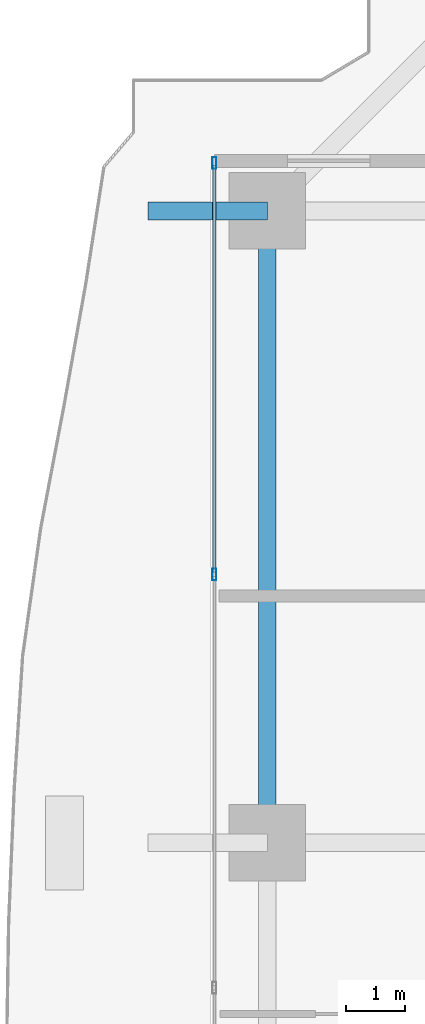
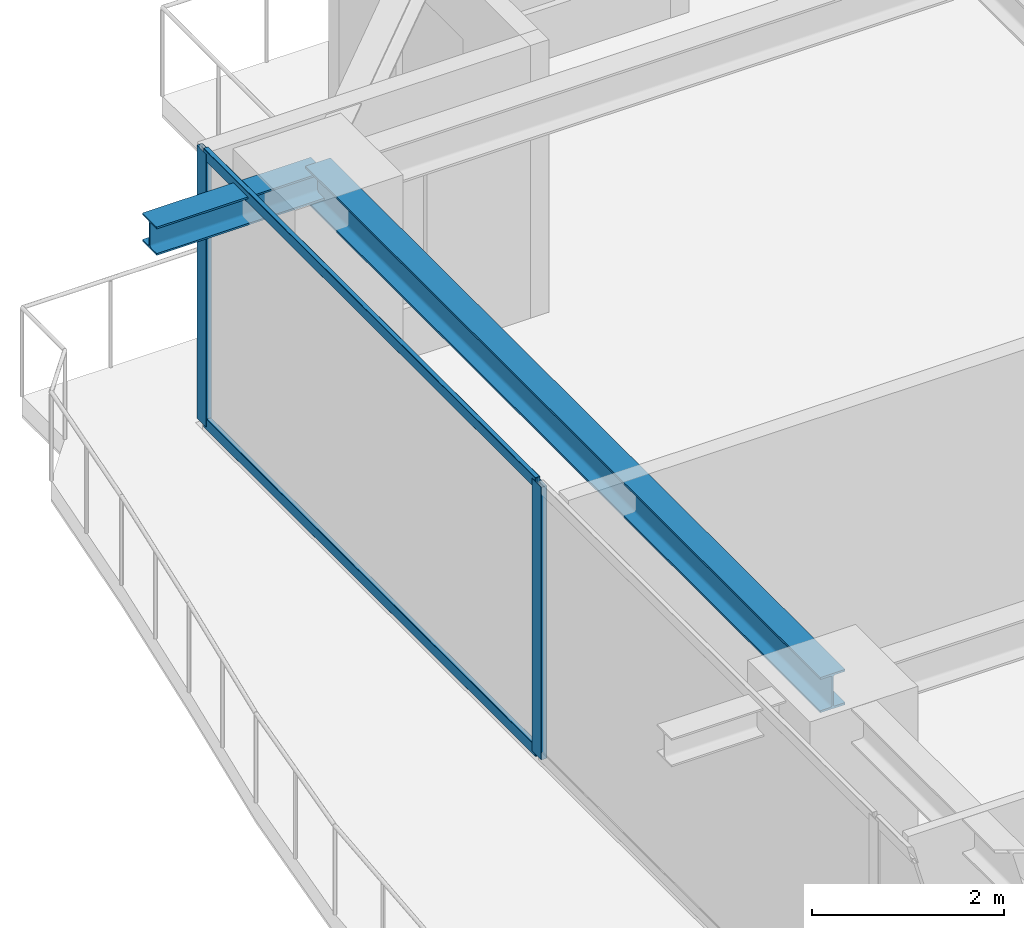
# One storey, part 15 of 35: 4 members, 2 beams, 1 element without a shape of its own.
"""IFC4 building model written with IfcOpenShell, lengths in metres."""

from ifc_helpers import new_model, si_unit, direction, frame, origin, origin_2d, place, context, subcontext, project, spatial, hollow_rectangle, i_section, extrude, source, transform, mapped, material, layer, layer_set, material_profile, profile_set, type_object, element, aggregate, save


model = new_model("IFC4")

# Units and contexts
model_context = context("Model", 3, precision=1e-05, world=origin(), true_north=direction((0.0, 1.0)))
body_context = subcontext(model_context, "Body", "Model", "MODEL_VIEW")
ifc_project = project(units=[si_unit("LENGTHUNIT", "METRE"), si_unit("AREAUNIT", "SQUARE_METRE"), si_unit("VOLUMEUNIT", "CUBIC_METRE"), si_unit("PLANEANGLEUNIT", "RADIAN"), si_unit("MASSUNIT", "GRAM", prefix="KILO")], contexts=[model_context])

# Site, building, storey
site_placement = place(None, origin())
site = spatial("IfcSite", under=ifc_project, at=site_placement, CompositionType="ELEMENT")
building_placement = place(site_placement, origin())
building = spatial("IfcBuilding", under=site, at=building_placement, Name="Serunith Strait Residences", CompositionType="ELEMENT")
storey_placement = place(building_placement, frame((0.0, 0.0, 157.64990234375)))
storey = spatial("IfcBuildingStorey", under=building, at=storey_placement, Name="L39", CompositionType="ELEMENT", Elevation=157.64990234375)

# Beams
ifc_material_1 = material(Name="Steel S355J2", Category="steel")
ifc_material_profile_1 = material_profile(ifc_material_1, i_section(OverallWidth=0.300048828125, OverallDepth=0.449951171875, WebThickness=0.013916015625, FlangeThickness=0.02587890625, FilletRadius=0.027099609375, at=origin_2d()), Name="HEB 450")
ifc_profile_set_1 = profile_set([ifc_material_profile_1], Name="Steel S355J2")
beam_type_1 = type_object("IfcBeamType", Name="BM-HEB450", PredefinedType="BEAM", material=ifc_profile_set_1)
shared_shape_1 = source(origin(), body_context, "Body", "SweptSolid", [
    extrude(i_section(OverallWidth=0.300048828125, OverallDepth=0.449951171875, WebThickness=0.013916015625, FlangeThickness=0.02587890625, FilletRadius=0.027099609375, at=origin_2d()), origin(), (0.0, 0.0, 1.0), 10.75),
])
beam_1_placement = place(storey_placement, frame((8.699951171875, 40.14990234375, 3.26220703125), z_axis=(0.0, -1.0, 0.0), x_axis=(1.0, 0.0, 0.0)))
element("IfcBeam", 1, at=beam_1_placement, inside=storey, type_object=beam_type_1, Name="L39 Perimeter Ring Beam 13", PredefinedType="BEAM", context=body_context, shape_type="MappedRepresentation", body=[
    mapped(shared_shape_1, transform((0.0, 0.0, 0.0), scale=1.0)),
])
ifc_material_profile_2 = material_profile(ifc_material_1, i_section(OverallWidth=0.300048828125, OverallDepth=0.360107421875, WebThickness=0.012451171875, FlangeThickness=0.0224609375, FilletRadius=0.027099609375, at=origin_2d()), Name="HEB 360")
ifc_profile_set_2 = profile_set([ifc_material_profile_2], Name="Steel S355J2")
beam_type_2 = type_object("IfcBeamType", Name="BM-HEB360", PredefinedType="BEAM", material=ifc_profile_set_2)
shared_shape_2 = source(origin(), body_context, "Body", "SweptSolid", [
    extrude(i_section(OverallWidth=0.300048828125, OverallDepth=0.360107421875, WebThickness=0.012451171875, FlangeThickness=0.0224609375, FilletRadius=0.027099609375, at=origin_2d()), origin(), (0.0, 0.0, 1.0), 2.030029296875),
])
beam_2_placement = place(storey_placement, frame((8.699951171875, 40.14990234375, 3.277099609375), z_axis=(-1.0, 0.0, 0.0), x_axis=(0.0, -1.0, 0.0)))
element("IfcBeam", 2, at=beam_2_placement, inside=storey, type_object=beam_type_2, Name="L40 Cantilevered Balcony Rib TC-W4", PredefinedType="BEAM", context=body_context, shape_type="MappedRepresentation", body=[
    mapped(shared_shape_2, transform((0.0, 0.0, 0.0), scale=1.0)),
])

# Curtain wall, members
ifc_material_2 = material(Name="Pale-Champagne Anodised Aluminium", Category="aluminium")
ifc_layer = layer(ifc_material_2, 0.199951171875, Name="Pale-Champagne Anodised Aluminium")
ifc_layer_set = layer_set([ifc_layer], Name="Pale-Champagne Anodised Aluminium")
curtain_wall_type = type_object("IfcCurtainWallType", Name="CW-SYS2", PredefinedType="NOTDEFINED", material=ifc_layer_set)
curtain_wall_placement = place(storey_placement, origin())
curtain_wall = element("IfcCurtainWall", 3, at=curtain_wall_placement, inside=storey, type_object=curtain_wall_type, Name="L39 W Unitised Fritted Curtain Wall", PredefinedType="NOTDEFINED")
ifc_material_profile_3 = material_profile(ifc_material_2, hollow_rectangle(XDim=0.070068359375, YDim=0.199951171875, WallThickness=0.00390625, InnerFilletRadius=0.006103515625, OuterFilletRadius=0.010009765625, at=origin_2d()), Name="ALU 200x70x4")
ifc_profile_set_3 = profile_set([ifc_material_profile_3], Name="Pale-Champagne Anodised Aluminium")
member_type_1 = type_object("IfcMemberType", Name="CW-SYS2-MULL", PredefinedType="MULLION", material=ifc_profile_set_3)
shared_shape_3 = source(origin(), body_context, "Body", "SweptSolid", [
    extrude(hollow_rectangle(XDim=0.070068359375, YDim=0.199951171875, WallThickness=0.00390625, InnerFilletRadius=0.006103515625, OuterFilletRadius=0.010009765625, at=origin_2d()), origin(), (0.0, 0.0, 1.0), 3.47509765625),
])
member_1_placement = place(storey_placement, frame((7.800048828125, 40.965087890625, 0.0), z_axis=(0.0, 0.0, 1.0), x_axis=(1.0, 0.0, 0.0)))
member_1 = element("IfcMember", 4, at=member_1_placement, type_object=member_type_1, Name="CW-2 mullion 1", PredefinedType="MULLION", context=body_context, shape_type="MappedRepresentation", body=[
    mapped(shared_shape_3, transform((0.0, 0.0, 0.0), scale=1.0)),
])
member_2_placement = place(storey_placement, frame((7.800048828125, 33.966552734375, 0.0), z_axis=(0.0, 0.0, 1.0), x_axis=(1.0, 0.0, 0.0)))
member_2 = element("IfcMember", 5, at=member_2_placement, type_object=member_type_1, Name="CW-2 mullion 2", PredefinedType="MULLION", context=body_context, shape_type="MappedRepresentation", body=[
    mapped(shared_shape_3, transform((0.0, 0.0, 0.0), scale=1.0)),
])
ifc_material_profile_4 = material_profile(ifc_material_2, hollow_rectangle(XDim=0.06005859375, YDim=0.139892578125, WallThickness=0.00341796875, InnerFilletRadius=0.00537109375, OuterFilletRadius=0.0087890625, at=origin_2d()), Name="ALU 140x60x3.5")
ifc_profile_set_4 = profile_set([ifc_material_profile_4], Name="Pale-Champagne Anodised Aluminium")
member_type_2 = type_object("IfcMemberType", Name="CW-SYS2-TRAN", PredefinedType="USERDEFINED", material=ifc_profile_set_4)
shared_shape_4 = source(origin(), body_context, "Body", "SweptSolid", [
    extrude(hollow_rectangle(XDim=0.06005859375, YDim=0.139892578125, WallThickness=0.00341796875, InnerFilletRadius=0.00537109375, OuterFilletRadius=0.0087890625, at=origin_2d()), origin(), (0.0, 0.0, 1.0), 6.92822265625),
])
member_3_placement = place(storey_placement, frame((7.800048828125, 40.929931640625, 0.030029296875), z_axis=(0.0, -1.0, 0.0), x_axis=(1.0, 0.0, 0.0)))
member_3 = element("IfcMember", 6, at=member_3_placement, type_object=member_type_2, Name="CW-2 transom 1.1", ObjectType="TRANSOM", PredefinedType="USERDEFINED", context=body_context, shape_type="MappedRepresentation", body=[
    mapped(shared_shape_4, transform((0.0, 0.0, 0.0), scale=1.0)),
])
member_4_placement = place(storey_placement, frame((7.800048828125, 40.929931640625, 3.445068359375), z_axis=(0.0, -1.0, 0.0), x_axis=(1.0, 0.0, 0.0)))
member_4 = element("IfcMember", 7, at=member_4_placement, type_object=member_type_2, Name="CW-2 transom 1.2", ObjectType="TRANSOM", PredefinedType="USERDEFINED", context=body_context, shape_type="MappedRepresentation", body=[
    mapped(shared_shape_4, transform((0.0, 0.0, 0.0), scale=1.0)),
])
aggregate(curtain_wall, [member_1, member_2, member_3, member_4])

save(model, "model.ifc")
